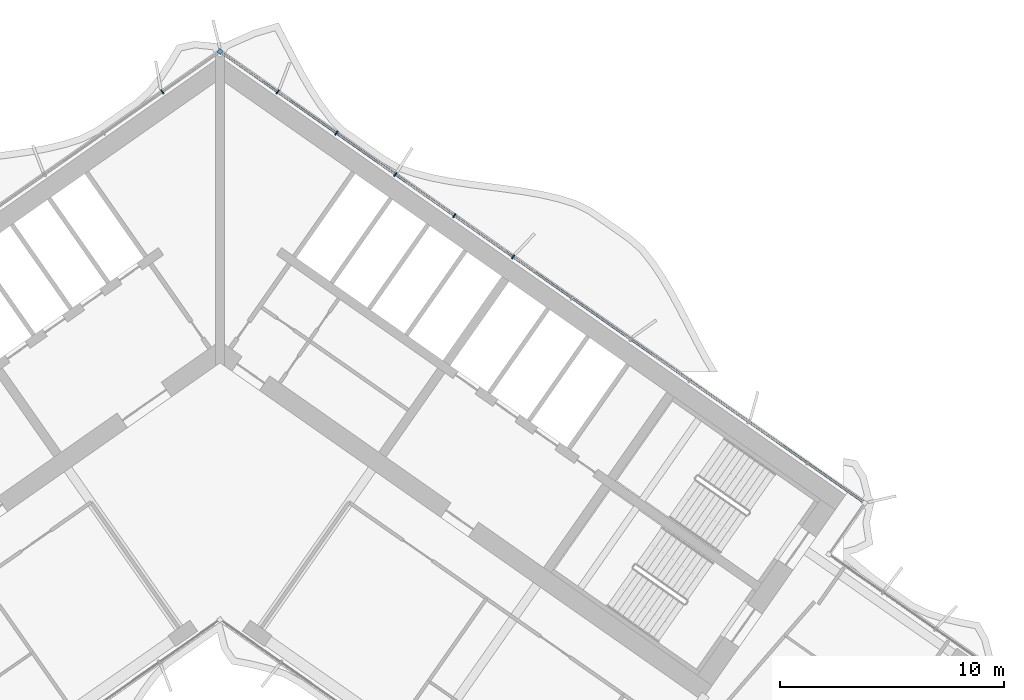
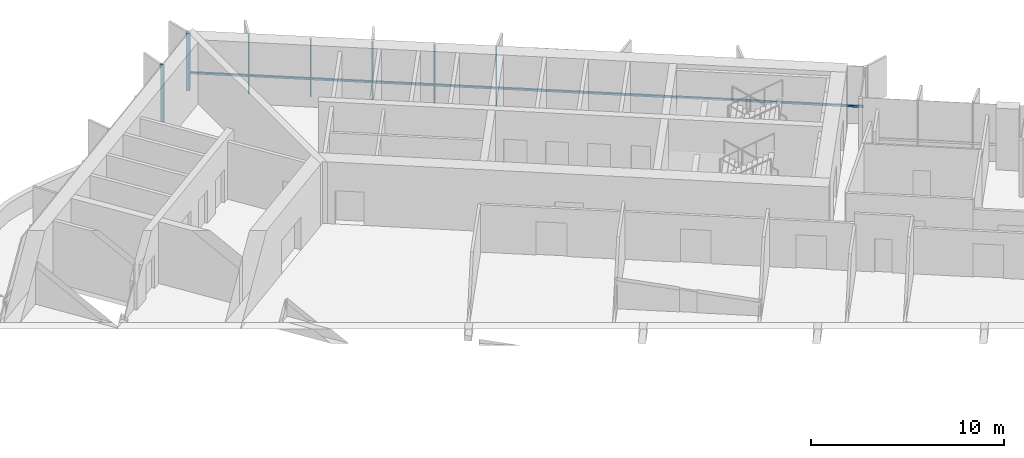
# One storey, part 8 of 22: 8 members, 1 element without a shape of its own.
"""IFC4 building model written with IfcOpenShell, lengths in metres."""

import ifcopenshell
import ifcopenshell.guid

model = None  # the IFC model being written
_history = None  # IfcOwnerHistory: only IFC2X3 demands one
_inside = {}  # id of a spatial element -> (the spatial element, [elements in it])
_under = {}  # id of a project, library or spatial element -> (it, [spatial elements below it])
_declared = {}  # id of a project -> (the project, [libraries it declares])
_typed = {}  # id of a type object -> (the type object, [elements of that type])
_made_of = {}  # id of a material, layer set ... -> (it, [elements and type objects made of it])


def new_model(schema):
    """Start an empty IFC model of exactly this schema.

    Asked for "IFC4X3", IfcOpenShell would pick the latest addendum, in which some entities
    have other attributes; the version numbers below select the first issue.
    IFC2X3 requires an IfcOwnerHistory on every rooted entity: one is made here for all.
    """
    global model, _history
    if schema == "IFC4X3":
        model = ifcopenshell.file(schema_version=(4, 3, 0, 0))
    else:
        model = ifcopenshell.file(schema=schema)
    _inside.clear()
    _under.clear()
    _declared.clear()
    _typed.clear()
    _made_of.clear()
    _history = None
    if model.schema == "IFC2X3":
        org = make("IfcOrganization", Name="unknown")
        user = make(
            "IfcPersonAndOrganization",
            ThePerson=make("IfcPerson", FamilyName="unknown"),
            TheOrganization=org,
        )
        app = make(
            "IfcApplication",
            ApplicationDeveloper=org,
            Version="unknown",
            ApplicationFullName="unknown",
            ApplicationIdentifier="unknown",
        )
        _history = make(
            "IfcOwnerHistory",
            OwningUser=user,
            OwningApplication=app,
            ChangeAction="ADDED",
            CreationDate=0,
        )
    return model


def make(cls, **values):
    """One entity of the class cls with the attributes given. An attribute that is None is left unset."""
    return model.create_entity(
        cls, **{name: value for name, value in values.items() if value is not None}
    )


def rooted(cls, **values):
    """An entity with a GlobalId (a new one), such as an element, a storey or a relation."""
    return make(cls, GlobalId=ifcopenshell.guid.new(), OwnerHistory=_history, **values)


def si_unit(unit_type, name, prefix=None):
    """IfcSIUnit, for example si_unit("LENGTHUNIT", "METRE", prefix="MILLI")."""
    return make("IfcSIUnit", UnitType=unit_type, Prefix=prefix, Name=name)


def assignment(units):
    """IfcUnitAssignment: the units of a project."""
    return None if units is None else make("IfcUnitAssignment", Units=units)


def point(xyz):
    """IfcCartesianPoint."""
    return None if xyz is None else make("IfcCartesianPoint", Coordinates=xyz)


def direction(xyz):
    """IfcDirection."""
    return None if xyz is None else make("IfcDirection", DirectionRatios=xyz)


def frame(location, z_axis=None, x_axis=None):
    """IfcAxis2Placement3D, a coordinate frame: its origin and axes. An axis left out is left unset."""
    return make(
        "IfcAxis2Placement3D",
        Location=point(location),
        Axis=direction(z_axis),
        RefDirection=direction(x_axis),
    )


def frame_2d(location, x_axis=None):
    """IfcAxis2Placement2D, a coordinate frame in the plane: its origin and x axis."""
    return make(
        "IfcAxis2Placement2D", Location=point(location), RefDirection=direction(x_axis)
    )


def origin():
    """The frame at (0, 0, 0) with its axes left unset."""
    return frame((0.0, 0.0, 0.0))


def origin_2d():
    """The frame at (0, 0) in the plane with its x axis left unset."""
    return frame_2d((0.0, 0.0))


def place(relative_to, where):
    """IfcLocalPlacement: puts the frame where relative to a parent placement (None: the world)."""
    return make(
        "IfcLocalPlacement", PlacementRelTo=relative_to, RelativePlacement=where
    )


def context(
    kind, dimensions, precision=None, world=None, true_north=None, identifier=None
):
    """IfcGeometricRepresentationContext, for example the 3D "Model" context."""
    return make(
        "IfcGeometricRepresentationContext",
        ContextIdentifier=identifier,
        ContextType=kind,
        CoordinateSpaceDimension=dimensions,
        Precision=precision,
        WorldCoordinateSystem=world,
        TrueNorth=true_north,
    )


def subcontext(parent, identifier, kind, view, scale=None):
    """IfcGeometricRepresentationSubContext, for example "Body" below "Model"."""
    return make(
        "IfcGeometricRepresentationSubContext",
        ContextIdentifier=identifier,
        ContextType=kind,
        ParentContext=parent,
        TargetScale=scale,
        TargetView=view,
    )


def project(units=None, contexts=None):
    """IfcProject with its units and contexts."""
    return rooted(
        "IfcProject",
        Name="project",
        RepresentationContexts=contexts,
        UnitsInContext=assignment(units),
    )


def spatial(cls, under=None, at=None, **own):
    """A site, building, storey or space (cls), placed at a placement, below another one or the project."""
    s = rooted(cls, ObjectPlacement=at, **own)
    if under is not None:
        _under.setdefault(under.id(), (under, []))[1].append(s)
    return s


def profile(cls, at=None, kind="AREA", **sizes):
    """A parametric profile (cls). Its sizes go by their IFC names, for example OverallWidth=200.0."""
    return make(cls, ProfileType=kind, Position=at, **sizes)


def rectangle(**sizes):
    """IfcRectangleProfileDef."""
    return profile("IfcRectangleProfileDef", **sizes)


def extrude(swept, where, along, depth):
    """IfcExtrudedAreaSolid: the profile swept, set in the frame where, extruded along a direction by depth."""
    return make(
        "IfcExtrudedAreaSolid",
        SweptArea=swept,
        Position=where,
        ExtrudedDirection=direction(along),
        Depth=depth,
    )


def shape(context_of_items, identifier, shape_type, items):
    """IfcShapeRepresentation: the items that make up one representation, for example the "Body"."""
    return make(
        "IfcShapeRepresentation",
        ContextOfItems=context_of_items,
        RepresentationIdentifier=identifier,
        RepresentationType=shape_type,
        Items=items,
    )


def material(Name=None, Category=None):
    """IfcMaterial."""
    return make("IfcMaterial", Name=Name, Category=Category)


def material_profile(
    of_material, cross_section, Name=None, Category=None, Priority=None
):
    """IfcMaterialProfile: a cross section and its material."""
    return make(
        "IfcMaterialProfile",
        Name=Name,
        Material=of_material,
        Profile=cross_section,
        Priority=Priority,
        Category=Category,
    )


def profile_set(profiles, Name=None, composite=None):
    """IfcMaterialProfileSet."""
    return make(
        "IfcMaterialProfileSet",
        Name=Name,
        MaterialProfiles=profiles,
        CompositeProfile=composite,
    )


def made_of(thing, what):
    """Note that an element or type object is made of a material, layer set ...; save() writes the relation."""
    if what is not None:
        _made_of.setdefault(what.id(), (what, []))[1].append(thing)
    return thing


def type_object(cls, material=None, **own):
    """A type object (cls), such as IfcWallType, which elements share."""
    return made_of(rooted(cls, **own), material)


def element(
    cls,
    number,
    at=None,
    inside=None,
    cuts=None,
    type_object=None,
    material=None,
    context=None,
    identifier="Body",
    shape_type=None,
    held_by="IfcProductDefinitionShape",
    body=None,
    shapes=None,
    **own,
):
    """One element of the class cls, such as IfcWall. Its Tag is "e" and its number.

    at: its placement. inside: the storey or other place that contains it. cuts: it is an
    opening in that element (IfcRelVoidsElement). A single representation is given by context,
    identifier, shape_type and body (its items); several are given by shapes. held_by: the class
    of the entity that holds the representations. save() writes the other relations.
    """
    e = rooted(cls, Tag="e%d" % number, ObjectPlacement=at, **own)
    if body is not None:
        shapes = [shape(context, identifier, shape_type, body)]
    if shapes is not None:
        e.Representation = make(held_by, Representations=shapes)
    if inside is not None:
        _inside.setdefault(inside.id(), (inside, []))[1].append(e)
    if cuts is not None:
        rooted(
            "IfcRelVoidsElement", RelatingBuildingElement=cuts, RelatedOpeningElement=e
        )
    if type_object is not None:
        _typed.setdefault(type_object.id(), (type_object, []))[1].append(e)
    return made_of(e, material)


def aggregate(whole, parts):
    """IfcRelAggregates: a whole, such as a stair, and the parts it consists of."""
    return rooted("IfcRelAggregates", RelatingObject=whole, RelatedObjects=parts)


def save(model, path):
    """Write the relations noted so far, then the file.

    IfcRelAggregates (storeys below a building ...), IfcRelContainedInSpatialStructure (elements
    in a storey), IfcRelDefinesByType, IfcRelAssociatesMaterial and IfcRelDeclares: one each for
    every whole, place, type object, material and project.
    """
    for whole, parts in _under.values():
        aggregate(whole, parts)
    for where, things in _inside.values():
        rooted(
            "IfcRelContainedInSpatialStructure",
            RelatedElements=things,
            RelatingStructure=where,
        )
    for kind, things in _typed.values():
        rooted("IfcRelDefinesByType", RelatedObjects=things, RelatingType=kind)
    for what, things in _made_of.values():
        rooted("IfcRelAssociatesMaterial", RelatedObjects=things, RelatingMaterial=what)
    for by, libraries in _declared.values():
        rooted("IfcRelDeclares", RelatingContext=by, RelatedDefinitions=libraries)
    model.write(path)


model = new_model("IFC4")

# Units and contexts
model_context = context("Model", 3, precision=1e-05, world=origin(), true_north=direction((0.0, 1.0)))
body_context = subcontext(model_context, "Body", "Model", "MODEL_VIEW")
ifc_project = project(units=[si_unit("LENGTHUNIT", "METRE"), si_unit("AREAUNIT", "SQUARE_METRE"), si_unit("VOLUMEUNIT", "CUBIC_METRE"), si_unit("PLANEANGLEUNIT", "RADIAN"), si_unit("MASSUNIT", "GRAM", prefix="KILO")], contexts=[model_context])

# Site, building, storey
site_placement = place(None, origin())
site = spatial("IfcSite", under=ifc_project, at=site_placement, CompositionType="ELEMENT")
building_placement = place(site_placement, origin())
building = spatial("IfcBuilding", under=site, at=building_placement, Name="Tel Ilan Convention Tower", CompositionType="ELEMENT")
storey_placement = place(building_placement, frame((0.0, 0.0, 202.199951171875)))
storey = spatial("IfcBuildingStorey", under=building, at=storey_placement, Name="L47", CompositionType="ELEMENT", Elevation=202.199951171875)

# Curtain wall, members
ifc_material_1 = material(Name="Aluminium, bronze anodised", Category="aluminium")
curtain_wall_type = type_object("IfcCurtainWallType", Name="CW2 STICK CURTAIN WALL, SPANDREL PANELS", PredefinedType="NOTDEFINED", material=ifc_material_1)
curtain_wall_placement = place(storey_placement, origin())
curtain_wall = element("IfcCurtainWall", 1, at=curtain_wall_placement, inside=storey, type_object=curtain_wall_type, Name="Curtain wall CW2-37.01", PredefinedType="NOTDEFINED")
ifc_material_2 = material(Name="Aluminium, bronze anodised", Category="aluminium")
ifc_material_profile_1 = material_profile(ifc_material_2, rectangle(XDim=0.199951171875, YDim=0.199951171875, at=origin_2d()), Name="CW CORNER MULLION 200x200")
ifc_profile_set_1 = profile_set([ifc_material_profile_1], Name="Aluminium, bronze anodised")
member_type_1 = type_object("IfcMemberType", Name="CW CORNER MULLION 200x200", PredefinedType="MULLION", material=ifc_profile_set_1)
member_1_placement = place(storey_placement, frame((0.0, 12.696044921875, 0.0), z_axis=(0.0, 0.0, 1.0), x_axis=(-0.819152044289, 0.573576436351, 0.0)))
member_1 = element("IfcMember", 2, at=member_1_placement, type_object=member_type_1, Name="Corner mullion", PredefinedType="MULLION", context=body_context, shape_type="SweptSolid", body=[
    extrude(rectangle(XDim=0.199951171875, YDim=0.199951171875, at=origin_2d()), origin(), (0.0, 0.0, 1.0), 3.6201171875),
])
ifc_material_3 = material(Name="Aluminium, bronze anodised", Category="aluminium")
ifc_material_profile_2 = material_profile(ifc_material_3, rectangle(XDim=0.06005859375, YDim=0.199951171875, at=origin_2d()), Name="CW MULLION 60x200")
ifc_profile_set_2 = profile_set([ifc_material_profile_2], Name="Aluminium, bronze anodised")
member_type_2 = type_object("IfcMemberType", Name="CW MULLION 60x200", PredefinedType="MULLION", material=ifc_profile_set_2)
member_2_placement = place(storey_placement, frame((13.105712890625, 3.519287109375, 0.0), z_axis=(0.0, 0.0, 1.0), x_axis=(-0.819152044289, 0.573576436351, 0.0)))
member_2 = element("IfcMember", 3, at=member_2_placement, type_object=member_type_2, Name="Mullion", PredefinedType="MULLION", context=body_context, shape_type="SweptSolid", body=[
    extrude(rectangle(XDim=0.06005859375, YDim=0.199951171875, at=origin_2d()), origin(), (0.0, 0.0, 1.0), 3.6201171875),
])
member_3_placement = place(storey_placement, frame((10.47314453125, 5.36279296875, 0.0), z_axis=(0.0, 0.0, 1.0), x_axis=(-0.819152044289, 0.573576436351, 0.0)))
member_3 = element("IfcMember", 4, at=member_3_placement, type_object=member_type_2, Name="Mullion", PredefinedType="MULLION", context=body_context, shape_type="SweptSolid", body=[
    extrude(rectangle(XDim=0.06005859375, YDim=0.199951171875, at=origin_2d()), origin(), (0.0, 0.0, 1.0), 3.6201171875),
])
member_4_placement = place(storey_placement, frame((7.840576171875, 7.2060546875, 0.0), z_axis=(0.0, 0.0, 1.0), x_axis=(-0.819152044289, 0.573576436351, 0.0)))
member_4 = element("IfcMember", 5, at=member_4_placement, type_object=member_type_2, Name="Mullion", PredefinedType="MULLION", context=body_context, shape_type="SweptSolid", body=[
    extrude(rectangle(XDim=0.06005859375, YDim=0.199951171875, at=origin_2d()), origin(), (0.0, 0.0, 1.0), 3.6201171875),
])
member_5_placement = place(storey_placement, frame((5.207763671875, 9.049560546875, 0.0), z_axis=(0.0, 0.0, 1.0), x_axis=(-0.819152044289, 0.573576436351, 0.0)))
member_5 = element("IfcMember", 6, at=member_5_placement, type_object=member_type_2, Name="Mullion", PredefinedType="MULLION", context=body_context, shape_type="SweptSolid", body=[
    extrude(rectangle(XDim=0.06005859375, YDim=0.199951171875, at=origin_2d()), origin(), (0.0, 0.0, 1.0), 3.6201171875),
])
member_6_placement = place(storey_placement, frame((2.5751953125, 10.892822265625, 0.0), z_axis=(0.0, 0.0, 1.0), x_axis=(-0.819152044289, 0.573576436351, 0.0)))
member_6 = element("IfcMember", 7, at=member_6_placement, type_object=member_type_2, Name="Mullion", PredefinedType="MULLION", context=body_context, shape_type="SweptSolid", body=[
    extrude(rectangle(XDim=0.06005859375, YDim=0.199951171875, at=origin_2d()), origin(), (0.0, 0.0, 1.0), 3.6201171875),
])
member_7_placement = place(storey_placement, frame((-2.5751953125, 10.892822265625, 0.0), z_axis=(0.0, 0.0, 1.0), x_axis=(-0.819152044289, -0.573576436351, 0.0)))
member_7 = element("IfcMember", 8, at=member_7_placement, type_object=member_type_2, Name="Mullion", PredefinedType="MULLION", context=body_context, shape_type="SweptSolid", body=[
    extrude(rectangle(XDim=0.06005859375, YDim=0.199951171875, at=origin_2d()), origin(), (0.0, 0.0, 1.0), 3.6201171875),
])
ifc_material_4 = material(Name="Aluminium, bronze anodised", Category="aluminium")
ifc_material_profile_3 = material_profile(ifc_material_4, rectangle(XDim=0.10009765625, YDim=0.1201171875, at=origin_2d()), Name="CW TRANSOM 100x120")
ifc_profile_set_3 = profile_set([ifc_material_profile_3], Name="Aluminium, bronze anodised")
member_type_3 = type_object("IfcMemberType", Name="CW TRANSOM 100x120", PredefinedType="USERDEFINED", material=ifc_profile_set_3)
member_8_placement = place(storey_placement, frame((28.737548828125, -7.42626953125, 1.10009765625), z_axis=(-0.819150201937, 0.573579067494, 0.0), x_axis=(-0.573579067494, -0.819150201937, 0.0)))
member_8 = element("IfcMember", 9, at=member_8_placement, type_object=member_type_3, Name="Transom", ObjectType="TRANSOM", PredefinedType="USERDEFINED", context=body_context, shape_type="SweptSolid", body=[
    extrude(rectangle(XDim=0.10009765625, YDim=0.1201171875, at=origin_2d()), origin(), (0.0, 0.0, 1.0), 34.9521484375),
])
aggregate(curtain_wall, [member_2, member_3, member_4, member_5, member_6, member_1, member_8, member_7])

save(model, "model.ifc")
